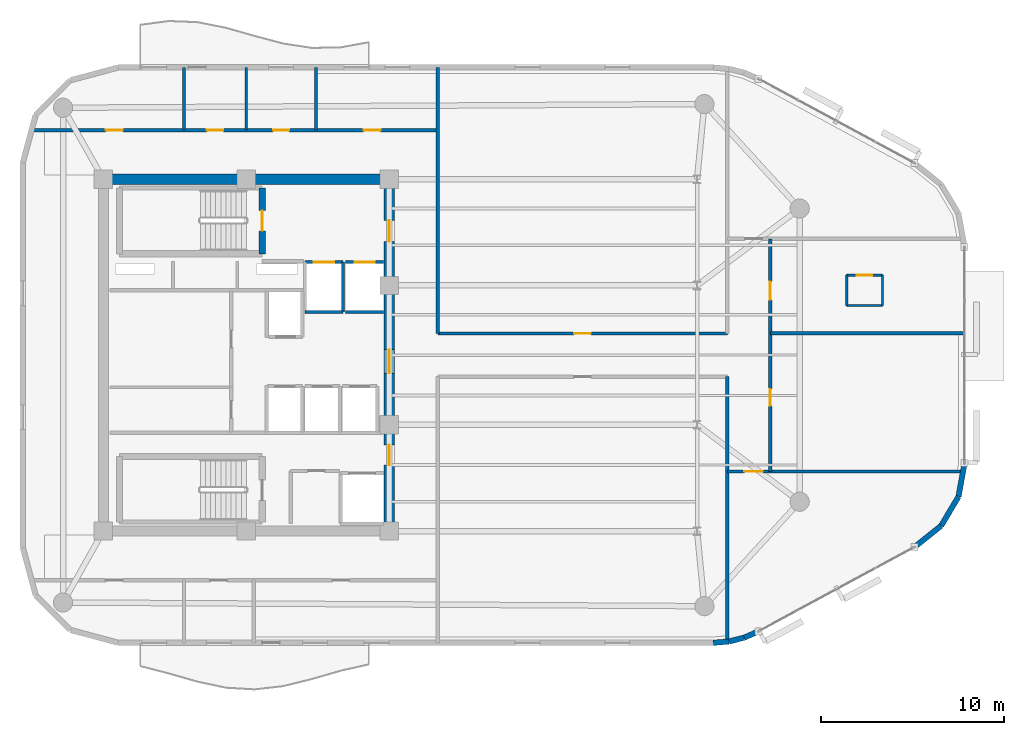
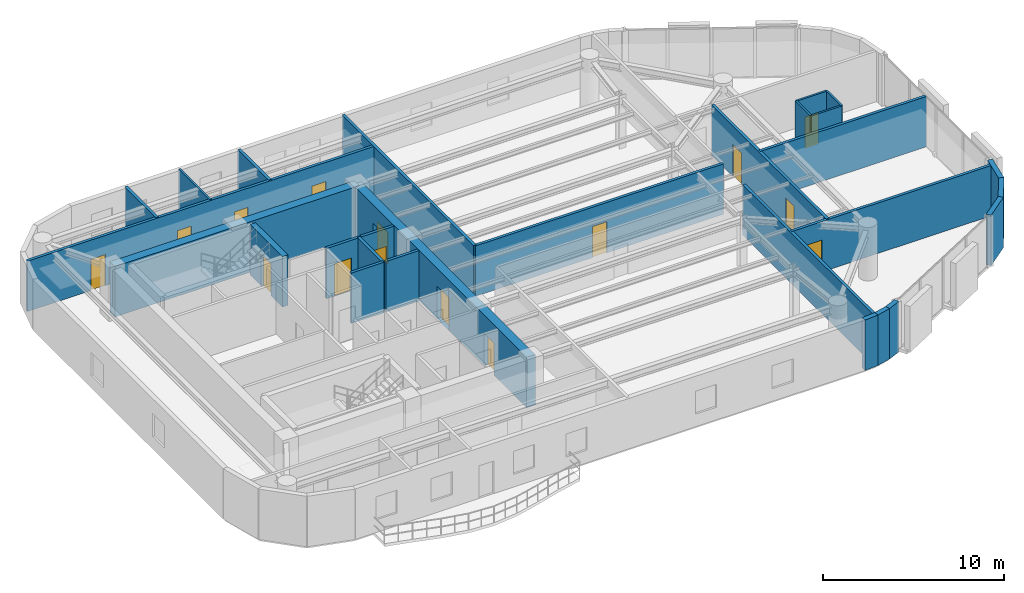
# One storey, part 10 of 13: 28 walls, 15 doors, 15 openings.
"""IFC4 building model written with IfcOpenShell, lengths in metres."""

from ifc_helpers import new_model, si_unit, direction, frame, frame_2d, origin, place, context, subcontext, project, spatial, rectangle, extrude, material, layer, layer_set, type_object, element, fill, save


model = new_model("IFC4")

# Units and contexts
model_context = context("Model", 3, precision=1e-05, world=origin(), true_north=direction((0.0, 1.0)))
body_context = subcontext(model_context, "Body", "Model", "MODEL_VIEW")
ifc_project = project(units=[si_unit("LENGTHUNIT", "METRE"), si_unit("AREAUNIT", "SQUARE_METRE"), si_unit("VOLUMEUNIT", "CUBIC_METRE"), si_unit("PLANEANGLEUNIT", "RADIAN"), si_unit("MASSUNIT", "GRAM", prefix="KILO")], contexts=[model_context])

# Site, building, storey
site_placement = place(None, origin())
site = spatial("IfcSite", under=ifc_project, at=site_placement, CompositionType="ELEMENT")
building_placement = place(site_placement, origin())
building = spatial("IfcBuilding", under=site, at=building_placement, Name="An Khanh Terracotta Commons", CompositionType="ELEMENT")
storey_placement = place(building_placement, frame((0.0, 0.0, 233.699951171875)))
storey = spatial("IfcBuildingStorey", under=building, at=storey_placement, Name="L61", CompositionType="ELEMENT", Elevation=233.699951171875)

# Wall
ifc_material_1 = material(Name="Concrete C50/60", Category="concrete")
ifc_layer_1 = layer(ifc_material_1, 0.550048828125, Name="Concrete C50/60")
ifc_layer_set_1 = layer_set([ifc_layer_1], Name="Concrete C50/60")
wall_type_1 = type_object("IfcWallType", Name="WALL-CORE-550", PredefinedType="SHEAR", material=ifc_layer_set_1)
wall_1_placement = place(storey_placement, frame((21.60009765625, 33.60009765625, 0.0), z_axis=(0.0, 0.0, 1.0), x_axis=(1.0, 0.0, 0.0)))
element("IfcWall", 1, at=wall_1_placement, inside=storey, type_object=wall_type_1, Name="L61 Core Wall CWALL-L61-N", PredefinedType="SHEAR", context=body_context, shape_type="SweptSolid", body=[
    extrude(rectangle(XDim=15.599853515625, YDim=0.550048828125, at=frame_2d((7.7998046875, 0.0))), origin(), (0.0, 0.0, 1.0), 3.400146484375),
])

# Wall, openings, doors
wall_2_placement = place(storey_placement, frame((37.199951171875, 14.39990234375, 0.0), z_axis=(0.0, 0.0, 1.0), x_axis=(0.0, 1.0, 0.0)))
wall_2 = element("IfcWall", 2, at=wall_2_placement, inside=storey, type_object=wall_type_1, Name="L61 Core Wall CWALL-L61-E", PredefinedType="SHEAR", context=body_context, shape_type="SweptSolid", body=[
    extrude(rectangle(XDim=19.2001953125, YDim=0.550048828125, at=frame_2d((9.60009765625, 0.0))), origin(), (0.0, 0.0, 1.0), 3.400146484375),
])
opening_1_placement = place(wall_2_placement, frame((15.800048828125, 0.0, 0.0)))
opening_1 = element("IfcOpeningElement", 3, at=opening_1_placement, cuts=wall_2, Name="Opening D-FFL", PredefinedType="OPENING", context=body_context, shape_type="SweptSolid", body=[
    extrude(rectangle(XDim=1.14990234375, YDim=2.14990234375, at=frame_2d((0.574951171875, 1.074951171875))), frame((0.0, 0.284912109375, 0.0), z_axis=(0.0, -1.0, 0.0), x_axis=(1.0, 0.0, 0.0)), (0.0, 0.0, 1.0), 0.570068359375),
])
opening_2_placement = place(wall_2_placement, frame((3.60009765625, 0.0, 0.0)))
opening_2 = element("IfcOpeningElement", 4, at=opening_2_placement, cuts=wall_2, Name="Opening D-ST", PredefinedType="OPENING", context=body_context, shape_type="SweptSolid", body=[
    extrude(rectangle(XDim=1.10009765625, YDim=2.14990234375, at=frame_2d((0.550048828125, 1.074951171875))), frame((0.0, 0.284912109375, 0.0), z_axis=(0.0, -1.0, 0.0), x_axis=(1.0, 0.0, 0.0)), (0.0, 0.0, 1.0), 0.570068359375),
])
opening_3_placement = place(wall_2_placement, frame((8.60009765625, 0.0, 0.0)))
opening_3 = element("IfcOpeningElement", 5, at=opening_3_placement, cuts=wall_2, Name="Opening D-COR", PredefinedType="OPENING", context=body_context, shape_type="SweptSolid", body=[
    extrude(rectangle(XDim=1.300048828125, YDim=2.199951171875, at=frame_2d((0.64990234375, 1.10009765625))), frame((0.0, 0.284912109375, 0.0), z_axis=(0.0, -1.0, 0.0), x_axis=(1.0, 0.0, 0.0)), (0.0, 0.0, 1.0), 0.570068359375),
])
ifc_material_2 = material(Name="Fire-Rated Glazed Steel Double Door", Category="steel")
door_type_1 = type_object("IfcDoorType", Name="DOOR-CORR-1300", OperationType="NOTDEFINED", PredefinedType="DOOR", material=ifc_material_2)
door_1_placement = place(opening_3_placement, origin())
door_1 = element("IfcDoor", 6, at=door_1_placement, inside=storey, type_object=door_type_1, Name="L61 Passenger Lift Lobby Double Door", OperationType="DOUBLE_DOOR_SINGLE_SWING", OverallHeight=2.199951171875, OverallWidth=1.300048828125, PredefinedType="DOOR", context=body_context, shape_type="SweptSolid", body=[
    extrude(rectangle(XDim=1.300048828125, YDim=2.199951171875, at=frame_2d((0.64990234375, 1.10009765625))), frame((0.0, 0.02490234375, 0.0), z_axis=(0.0, -1.0, 0.0), x_axis=(1.0, 0.0, 0.0)), (0.0, 0.0, 1.0), 0.050048828125),
])
fill(opening_3, door_1)
ifc_material_3 = material(Name="Fire-Rated Steel Leaf and Vision Panel", Category="steel")
door_type_2 = type_object("IfcDoorType", Name="DOOR-FFL-1150", OperationType="NOTDEFINED", PredefinedType="DOOR", material=ifc_material_3)
door_2_placement = place(opening_1_placement, origin())
door_2 = element("IfcDoor", 7, at=door_2_placement, inside=storey, type_object=door_type_2, Name="L61 Firefighting Lift Lobby Fire Door", OperationType="SINGLE_SWING_LEFT", OverallHeight=2.14990234375, OverallWidth=1.14990234375, PredefinedType="DOOR", context=body_context, shape_type="SweptSolid", body=[
    extrude(rectangle(XDim=1.14990234375, YDim=2.14990234375, at=frame_2d((0.574951171875, 1.074951171875))), frame((0.0, 0.02490234375, 0.0), z_axis=(0.0, -1.0, 0.0), x_axis=(1.0, 0.0, 0.0)), (0.0, 0.0, 1.0), 0.050048828125),
])
fill(opening_1, door_2)
ifc_material_4 = material(Name="Fire-Rated Steel Leaf and Frame", Category="steel")
door_type_3 = type_object("IfcDoorType", Name="DOOR-STAIR-1100", OperationType="NOTDEFINED", PredefinedType="DOOR", material=ifc_material_4)
door_3_placement = place(opening_2_placement, origin())
door_3 = element("IfcDoor", 8, at=door_3_placement, inside=storey, type_object=door_type_3, Name="L61 South Stair Lobby Fire Door", OperationType="SINGLE_SWING_RIGHT", OverallHeight=2.14990234375, OverallWidth=1.10009765625, PredefinedType="DOOR", context=body_context, shape_type="SweptSolid", body=[
    extrude(rectangle(XDim=1.10009765625, YDim=2.14990234375, at=frame_2d((0.550048828125, 1.074951171875))), frame((0.0, 0.02490234375, 0.0), z_axis=(0.0, -1.0, 0.0), x_axis=(1.0, 0.0, 0.0)), (0.0, 0.0, 1.0), 0.050048828125),
])
fill(opening_2, door_3)

# Wall, opening, door
ifc_material_5 = material(Name="Fire-Rated Gypsum Board on Steel Stud", Category="steel")
ifc_layer_2 = layer(ifc_material_5, 0.179931640625, Name="Fire-Rated Gypsum Board on Steel Stud")
ifc_layer_set_2 = layer_set([ifc_layer_2], Name="Fire-Rated Gypsum Board on Steel Stud")
wall_type_2 = type_object("IfcWallType", Name="WALL-CORR-180", PredefinedType="PARTITIONING", material=ifc_layer_set_2)
wall_3_placement = place(storey_placement, frame((32.60009765625, 29.080078125, 0.0), z_axis=(0.0, 0.0, 1.0), x_axis=(1.0, 0.0, 0.0)))
wall_3 = element("IfcWall", 9, at=wall_3_placement, inside=storey, type_object=wall_type_2, Name="L61 Core Wall LSH-L61-FFL-01-N", PredefinedType="PARTITIONING", context=body_context, shape_type="SweptSolid", body=[
    extrude(rectangle(XDim=2.079833984375, YDim=0.179931640625, at=frame_2d((1.0400390625, 0.0))), origin(), (0.0, 0.0, 1.0), 3.400146484375),
])
opening_4_placement = place(wall_3_placement, frame((0.489990234375, 0.0, 0.0)))
opening_4 = element("IfcOpeningElement", 10, at=opening_4_placement, cuts=wall_3, Name="Opening LD-FFL-01-L61", PredefinedType="OPENING", context=body_context, shape_type="SweptSolid", body=[
    extrude(rectangle(XDim=1.10009765625, YDim=2.199951171875, at=frame_2d((0.550048828125, 1.10009765625))), frame((0.0, 0.099853515625, 0.0), z_axis=(0.0, -1.0, 0.0), x_axis=(1.0, 0.0, 0.0)), (0.0, 0.0, 1.0), 0.199951171875),
])
ifc_material_6 = material(Name="Brushed Stainless Steel Fire Landing Door", Category="steel")
door_type_4 = type_object("IfcDoorType", Name="DOOR-LD-FFL-1100", OperationType="NOTDEFINED", PredefinedType="DOOR", material=ifc_material_6)
door_4_placement = place(opening_4_placement, origin())
door_4 = element("IfcDoor", 11, at=door_4_placement, inside=storey, type_object=door_type_4, Name="L61 Lift FFL-01 Sliding Landing Door", OperationType="DOUBLE_DOOR_SLIDING", OverallHeight=2.199951171875, OverallWidth=1.10009765625, PredefinedType="DOOR", context=body_context, shape_type="SweptSolid", body=[
    extrude(rectangle(XDim=1.10009765625, YDim=2.199951171875, at=frame_2d((0.550048828125, 1.10009765625))), frame((0.0, 0.02490234375, 0.0), z_axis=(0.0, -1.0, 0.0), x_axis=(1.0, 0.0, 0.0)), (0.0, 0.0, 1.0), 0.050048828125),
])
fill(opening_4, door_4)

# Walls
wall_4_placement = place(storey_placement, frame((34.679931640625, 26.35009765625, 0.0), z_axis=(0.0, 0.0, 1.0), x_axis=(-1.0, 0.0, 0.0)))
element("IfcWall", 12, at=wall_4_placement, inside=storey, type_object=wall_type_2, Name="L61 Core Wall LSH-L61-FFL-01-S", PredefinedType="PARTITIONING", context=body_context, shape_type="SweptSolid", body=[
    extrude(rectangle(XDim=2.079833984375, YDim=0.179931640625, at=frame_2d((1.0400390625, 0.0))), origin(), (0.0, 0.0, 1.0), 3.400146484375),
])
wall_5_placement = place(storey_placement, frame((34.679931640625, 26.35009765625, 0.0), z_axis=(0.0, 0.0, 1.0), x_axis=(0.0, 1.0, 0.0)))
element("IfcWall", 13, at=wall_5_placement, inside=storey, type_object=wall_type_2, Name="L61 Core Wall LSH-L61-FFL-01-E", PredefinedType="PARTITIONING", context=body_context, shape_type="SweptSolid", body=[
    extrude(rectangle(XDim=2.72998046875, YDim=0.179931640625, at=frame_2d((1.364990234375, 0.0))), origin(), (0.0, 0.0, 1.0), 3.400146484375),
])

# Wall, opening, door
wall_6_placement = place(storey_placement, frame((34.820068359375, 29.080078125, 0.0), z_axis=(0.0, 0.0, 1.0), x_axis=(1.0, 0.0, 0.0)))
wall_6 = element("IfcWall", 14, at=wall_6_placement, inside=storey, type_object=wall_type_2, Name="L61 Core Wall LSH-L61-FFL-02-N", PredefinedType="PARTITIONING", context=body_context, shape_type="SweptSolid", body=[
    extrude(rectangle(XDim=2.079833984375, YDim=0.179931640625, at=frame_2d((1.0400390625, 0.0))), origin(), (0.0, 0.0, 1.0), 3.400146484375),
])
opening_5_placement = place(wall_6_placement, frame((0.489990234375, 0.0, 0.0)))
opening_5 = element("IfcOpeningElement", 15, at=opening_5_placement, cuts=wall_6, Name="Opening LD-FFL-02-L61", PredefinedType="OPENING", context=body_context, shape_type="SweptSolid", body=[
    extrude(rectangle(XDim=1.10009765625, YDim=2.199951171875, at=frame_2d((0.550048828125, 1.10009765625))), frame((0.0, 0.099853515625, 0.0), z_axis=(0.0, -1.0, 0.0), x_axis=(1.0, 0.0, 0.0)), (0.0, 0.0, 1.0), 0.199951171875),
])
door_5_placement = place(opening_5_placement, origin())
door_5 = element("IfcDoor", 16, at=door_5_placement, inside=storey, type_object=door_type_4, Name="L61 Lift FFL-02 Sliding Landing Door", OperationType="DOUBLE_DOOR_SLIDING", OverallHeight=2.199951171875, OverallWidth=1.10009765625, PredefinedType="DOOR", context=body_context, shape_type="SweptSolid", body=[
    extrude(rectangle(XDim=1.10009765625, YDim=2.199951171875, at=frame_2d((0.550048828125, 1.10009765625))), frame((0.0, 0.02490234375, 0.0), z_axis=(0.0, -1.0, 0.0), x_axis=(1.0, 0.0, 0.0)), (0.0, 0.0, 1.0), 0.050048828125),
])
fill(opening_5, door_5)

# Wall
wall_7_placement = place(storey_placement, frame((36.89990234375, 26.35009765625, 0.0), z_axis=(0.0, 0.0, 1.0), x_axis=(-1.0, 0.0, 0.0)))
element("IfcWall", 17, at=wall_7_placement, inside=storey, type_object=wall_type_2, Name="L61 Core Wall LSH-L61-FFL-02-S", PredefinedType="PARTITIONING", context=body_context, shape_type="SweptSolid", body=[
    extrude(rectangle(XDim=2.079833984375, YDim=0.179931640625, at=frame_2d((1.0400390625, 0.0))), origin(), (0.0, 0.0, 1.0), 3.400146484375),
])

# Wall, opening, door
wall_8_placement = place(storey_placement, frame((55.64990234375, 17.64990234375, 0.0), z_axis=(0.0, 0.0, 1.0), x_axis=(1.0, 0.0, 0.0)))
wall_8 = element("IfcWall", 18, at=wall_8_placement, inside=storey, type_object=wall_type_2, Name="L61 Interior Partition IW-L61-E002", PredefinedType="PARTITIONING", context=body_context, shape_type="SweptSolid", body=[
    extrude(rectangle(XDim=12.8681640625, YDim=0.179931640625, at=frame_2d((6.43408203125, 0.0))), origin(), (0.0, 0.0, 1.0), 3.400146484375),
])
opening_6_placement = place(wall_8_placement, frame((0.93505859375, 0.0, 0.0)))
opening_6 = element("IfcOpeningElement", 19, at=opening_6_placement, cuts=wall_8, Name="Opening D-UN", PredefinedType="OPENING", context=body_context, shape_type="SweptSolid", body=[
    extrude(rectangle(XDim=1.0, YDim=2.14990234375, at=frame_2d((0.5, 1.074951171875))), frame((0.0, 0.099853515625, 0.0), z_axis=(0.0, -1.0, 0.0), x_axis=(1.0, 0.0, 0.0)), (0.0, 0.0, 1.0), 0.199951171875),
])
ifc_material_7 = material(Name="Solid-Core Hardwood Acoustic Fire Door", Category="wood")
door_type_5 = type_object("IfcDoorType", Name="DOOR-UNIT-1000", OperationType="NOTDEFINED", PredefinedType="DOOR", material=ifc_material_7)
door_6_placement = place(opening_6_placement, origin())
door_6 = element("IfcDoor", 20, at=door_6_placement, inside=storey, type_object=door_type_5, Name="L61 CAPS Yoga Wellness Studio Door", OperationType="SINGLE_SWING_LEFT", OverallHeight=2.14990234375, OverallWidth=1.0, PredefinedType="DOOR", context=body_context, shape_type="SweptSolid", body=[
    extrude(rectangle(XDim=1.0, YDim=2.14990234375, at=frame_2d((0.5, 1.074951171875))), frame((0.0, 0.02490234375, 0.0), z_axis=(0.0, -1.0, 0.0), x_axis=(1.0, 0.0, 0.0)), (0.0, 0.0, 1.0), 0.050048828125),
])
fill(opening_6, door_6)

wall_9_placement = place(storey_placement, frame((39.85009765625, 25.179931640625, 0.0), z_axis=(0.0, 0.0, 1.0), x_axis=(1.0, 0.0, 0.0)))
wall_9 = element("IfcWall", 21, at=wall_9_placement, inside=storey, type_object=wall_type_2, Name="L61 Interior Partition IW-L61-E004", PredefinedType="PARTITIONING", context=body_context, shape_type="SweptSolid", body=[
    extrude(rectangle(XDim=15.7998046875, YDim=0.179931640625, at=frame_2d((7.89990234375, 0.0))), origin(), (0.0, 0.0, 1.0), 3.400146484375),
])
opening_7_placement = place(wall_9_placement, frame((7.43994140625, 0.0, 0.0)))
opening_7 = element("IfcOpeningElement", 22, at=opening_7_placement, cuts=wall_9, Name="Opening D-RM", PredefinedType="OPENING", context=body_context, shape_type="SweptSolid", body=[
    extrude(rectangle(XDim=0.919921875, YDim=2.10009765625, at=frame_2d((0.4599609375, 1.050048828125))), frame((0.0, 0.099853515625, 0.0), z_axis=(0.0, -1.0, 0.0), x_axis=(1.0, 0.0, 0.0)), (0.0, 0.0, 1.0), 0.199951171875),
])
ifc_material_8 = material(Name="Engineered Hardwood Timber Leaf", Category="wood")
door_type_6 = type_object("IfcDoorType", Name="DOOR-INT-920", OperationType="NOTDEFINED", PredefinedType="DOOR", material=ifc_material_8)
door_7_placement = place(opening_7_placement, origin())
door_7 = element("IfcDoor", 23, at=door_7_placement, inside=storey, type_object=door_type_6, Name="L61 NB1 Student Reading Library Door", OperationType="SINGLE_SWING_RIGHT", OverallHeight=2.10009765625, OverallWidth=0.919921875, PredefinedType="DOOR", context=body_context, shape_type="SweptSolid", body=[
    extrude(rectangle(XDim=0.919921875, YDim=2.10009765625, at=frame_2d((0.4599609375, 1.050048828125))), frame((0.0, 0.02490234375, 0.0), z_axis=(0.0, -1.0, 0.0), x_axis=(1.0, 0.0, 0.0)), (0.0, 0.0, 1.0), 0.050048828125),
])
fill(opening_7, door_7)

# Wall
wall_10_placement = place(storey_placement, frame((58.0, 25.199951171875, 0.0), z_axis=(0.0, 0.0, 1.0), x_axis=(1.0, 0.0, 0.0)))
element("IfcWall", 24, at=wall_10_placement, inside=storey, type_object=wall_type_2, Name="L61 Interior Partition IW-L61-E005", PredefinedType="PARTITIONING", context=body_context, shape_type="SweptSolid", body=[
    extrude(rectangle(XDim=10.60009765625, YDim=0.179931640625, at=frame_2d((5.300048828125, 0.0))), origin(), (0.0, 0.0, 1.0), 3.400146484375),
])

# Wall, openings, doors
wall_11_placement = place(storey_placement, frame((17.677001953125, 36.280029296875, 0.0), z_axis=(0.0, 0.0, 1.0), x_axis=(1.0, 0.0, 0.0)))
wall_11 = element("IfcWall", 25, at=wall_11_placement, inside=storey, type_object=wall_type_2, Name="L61 Interior Partition IW-L61-E007", PredefinedType="PARTITIONING", context=body_context, shape_type="SweptSolid", body=[
    extrude(rectangle(XDim=22.173095703125, YDim=0.179931640625, at=frame_2d((11.08642578125, 0.0))), origin(), (0.0, 0.0, 1.0), 3.400146484375),
])
opening_8_placement = place(wall_11_placement, frame((9.572998046875, 0.0, 0.0)))
opening_8 = element("IfcOpeningElement", 26, at=opening_8_placement, cuts=wall_11, Name="Opening D-WC", PredefinedType="OPENING", context=body_context, shape_type="SweptSolid", body=[
    extrude(rectangle(XDim=0.89990234375, YDim=2.10009765625, at=frame_2d((0.449951171875, 1.050048828125))), frame((0.0, 0.099853515625, 0.0), z_axis=(0.0, -1.0, 0.0), x_axis=(1.0, 0.0, 0.0)), (0.0, 0.0, 1.0), 0.199951171875),
])
opening_9_placement = place(wall_11_placement, frame((13.193115234375, 0.0, 0.0)))
opening_9 = element("IfcOpeningElement", 27, at=opening_9_placement, cuts=wall_11, Name="Opening D-ENS", PredefinedType="OPENING", context=body_context, shape_type="SweptSolid", body=[
    extrude(rectangle(XDim=0.860107421875, YDim=2.10009765625, at=frame_2d((0.43017578125, 1.050048828125))), frame((0.0, 0.099853515625, 0.0), z_axis=(0.0, -1.0, 0.0), x_axis=(1.0, 0.0, 0.0)), (0.0, 0.0, 1.0), 0.199951171875),
])
opening_10_placement = place(wall_11_placement, frame((4.06298828125, 0.0, 0.0)))
opening_10 = element("IfcOpeningElement", 28, at=opening_10_placement, cuts=wall_11, Name="Opening D-RM", PredefinedType="OPENING", context=body_context, shape_type="SweptSolid", body=[
    extrude(rectangle(XDim=0.919921875, YDim=2.10009765625, at=frame_2d((0.4599609375, 1.050048828125))), frame((0.0, 0.099853515625, 0.0), z_axis=(0.0, -1.0, 0.0), x_axis=(1.0, 0.0, 0.0)), (0.0, 0.0, 1.0), 0.199951171875),
])
opening_11_placement = place(wall_11_placement, frame((18.1279296875, 0.0, 0.0)))
opening_11 = element("IfcOpeningElement", 29, at=opening_11_placement, cuts=wall_11, Name="Opening D-RM", PredefinedType="OPENING", context=body_context, shape_type="SweptSolid", body=[
    extrude(rectangle(XDim=0.919921875, YDim=2.10009765625, at=frame_2d((0.4599609375, 1.050048828125))), frame((0.0, 0.099853515625, 0.0), z_axis=(0.0, -1.0, 0.0), x_axis=(1.0, 0.0, 0.0)), (0.0, 0.0, 1.0), 0.199951171875),
])
ifc_material_9 = material(Name="Moisture-Resistant Hardwood Timber Leaf", Category="wood")
door_type_7 = type_object("IfcDoorType", Name="DOOR-BATH-860", OperationType="NOTDEFINED", PredefinedType="DOOR", material=ifc_material_9)
door_8_placement = place(opening_9_placement, origin())
door_8 = element("IfcDoor", 30, at=door_8_placement, inside=storey, type_object=door_type_7, Name="L61 SHW Resident Shared Shower and Washroom Door", OperationType="SINGLE_SWING_RIGHT", OverallHeight=2.10009765625, OverallWidth=0.860107421875, PredefinedType="DOOR", context=body_context, shape_type="SweptSolid", body=[
    extrude(rectangle(XDim=0.860107421875, YDim=2.10009765625, at=frame_2d((0.43017578125, 1.050048828125))), frame((0.0, 0.02490234375, 0.0), z_axis=(0.0, -1.0, 0.0), x_axis=(1.0, 0.0, 0.0)), (0.0, 0.0, 1.0), 0.050048828125),
])
fill(opening_9, door_8)
door_9_placement = place(opening_10_placement, origin())
door_9 = element("IfcDoor", 31, at=door_9_placement, inside=storey, type_object=door_type_6, Name="L61 NW1 Quiet Focus Office Door", OperationType="SINGLE_SWING_RIGHT", OverallHeight=2.10009765625, OverallWidth=0.919921875, PredefinedType="DOOR", context=body_context, shape_type="SweptSolid", body=[
    extrude(rectangle(XDim=0.919921875, YDim=2.10009765625, at=frame_2d((0.4599609375, 1.050048828125))), frame((0.0, 0.02490234375, 0.0), z_axis=(0.0, -1.0, 0.0), x_axis=(1.0, 0.0, 0.0)), (0.0, 0.0, 1.0), 0.050048828125),
])
fill(opening_10, door_9)
door_10_placement = place(opening_11_placement, origin())
door_10 = element("IfcDoor", 32, at=door_10_placement, inside=storey, type_object=door_type_6, Name="L61 NWE Academic Seminar Room Door", OperationType="SINGLE_SWING_LEFT", OverallHeight=2.10009765625, OverallWidth=0.919921875, PredefinedType="DOOR", context=body_context, shape_type="SweptSolid", body=[
    extrude(rectangle(XDim=0.919921875, YDim=2.10009765625, at=frame_2d((0.4599609375, 1.050048828125))), frame((0.0, 0.02490234375, 0.0), z_axis=(0.0, -1.0, 0.0), x_axis=(1.0, 0.0, 0.0)), (0.0, 0.0, 1.0), 0.050048828125),
])
fill(opening_11, door_10)
ifc_material_10 = material(Name="Laminate Moisture-Resistant Timber Leaf", Category="wood")
door_type_8 = type_object("IfcDoorType", Name="DOOR-WC-900", OperationType="NOTDEFINED", PredefinedType="DOOR", material=ifc_material_10)
door_11_placement = place(opening_8_placement, origin())
door_11 = element("IfcDoor", 33, at=door_11_placement, inside=storey, type_object=door_type_8, Name="L61 AWC Accessible WC Door", OperationType="SINGLE_SWING_LEFT", OverallHeight=2.10009765625, OverallWidth=0.89990234375, PredefinedType="DOOR", context=body_context, shape_type="SweptSolid", body=[
    extrude(rectangle(XDim=0.89990234375, YDim=2.10009765625, at=frame_2d((0.449951171875, 1.050048828125))), frame((0.0, 0.02490234375, 0.0), z_axis=(0.0, -1.0, 0.0), x_axis=(1.0, 0.0, 0.0)), (0.0, 0.0, 1.0), 0.050048828125),
])
fill(opening_8, door_11)

# Walls
for number, where, z_axis, x_axis, name in (
    (34, (26.0, 36.280029296875, 0.0), (0.0, 0.0, 1.0), (0.0, 1.0, 0.0), "L61 Interior Partition IW-L61-E009"),
    (35, (33.199951171875, 36.280029296875, 0.0), (0.0, 0.0, 1.0), (0.0, 1.0, 0.0), "L61 Interior Partition IW-L61-E012"),
):
    element("IfcWall", number, at=place(storey_placement, frame(where, z_axis=z_axis, x_axis=x_axis)), inside=storey, type_object=wall_type_2, Name=name, PredefinedType="PARTITIONING", context=body_context, shape_type="SweptSolid", body=[
        extrude(rectangle(XDim=3.419921875, YDim=0.179931640625, at=frame_2d((1.7099609375, 0.0))), origin(), (0.0, 0.0, 1.0), 3.400146484375),
    ])
wall_12_placement = place(storey_placement, frame((39.85009765625, 25.179931640625, 0.0), z_axis=(0.0, 0.0, 1.0), x_axis=(0.0, 1.0, 0.0)))
element("IfcWall", 36, at=wall_12_placement, inside=storey, type_object=wall_type_2, Name="L61 Interior Partition IW-L61-E014", PredefinedType="PARTITIONING", context=body_context, shape_type="SweptSolid", body=[
    extrude(rectangle(XDim=14.52001953125, YDim=0.179931640625, at=frame_2d((7.260009765625, 0.0))), origin(), (0.0, 0.0, 1.0), 3.400146484375),
])
wall_13_placement = place(storey_placement, frame((55.64990234375, 8.364013671875, 0.0), z_axis=(0.0, 0.0, 1.0), x_axis=(0.0, 1.0, 0.0)))
element("IfcWall", 37, at=wall_13_placement, inside=storey, type_object=wall_type_2, Name="L61 Interior Partition IW-L61-E015", PredefinedType="PARTITIONING", context=body_context, shape_type="SweptSolid", body=[
    extrude(rectangle(XDim=14.4560546875, YDim=0.179931640625, at=frame_2d((7.22802734375, 0.0))), origin(), (0.0, 0.0, 1.0), 3.400146484375),
])

# Wall, openings, doors
wall_14_placement = place(storey_placement, frame((58.0, 17.64990234375, 0.0), z_axis=(0.0, 0.0, 1.0), x_axis=(0.0, 1.0, 0.0)))
wall_14 = element("IfcWall", 38, at=wall_14_placement, inside=storey, type_object=wall_type_2, Name="L61 Interior Partition IW-L61-E017", PredefinedType="PARTITIONING", context=body_context, shape_type="SweptSolid", body=[
    extrude(rectangle(XDim=12.7001953125, YDim=0.179931640625, at=frame_2d((6.35009765625, 0.0))), origin(), (0.0, 0.0, 1.0), 3.400146484375),
])
opening_12_placement = place(wall_14_placement, frame((9.364990234375, 0.0, 0.0)))
opening_12 = element("IfcOpeningElement", 39, at=opening_12_placement, cuts=wall_14, Name="Opening D-UN", PredefinedType="OPENING", context=body_context, shape_type="SweptSolid", body=[
    extrude(rectangle(XDim=1.0, YDim=2.14990234375, at=frame_2d((0.5, 1.074951171875))), frame((0.0, 0.099853515625, 0.0), z_axis=(0.0, -1.0, 0.0), x_axis=(1.0, 0.0, 0.0)), (0.0, 0.0, 1.0), 0.199951171875),
])
opening_13_placement = place(wall_14_placement, frame((3.574951171875, 0.0, 0.0)))
opening_13 = element("IfcOpeningElement", 40, at=opening_13_placement, cuts=wall_14, Name="Opening D-RM", PredefinedType="OPENING", context=body_context, shape_type="SweptSolid", body=[
    extrude(rectangle(XDim=0.919921875, YDim=2.10009765625, at=frame_2d((0.4599609375, 1.050048828125))), frame((0.0, 0.099853515625, 0.0), z_axis=(0.0, -1.0, 0.0), x_axis=(1.0, 0.0, 0.0)), (0.0, 0.0, 1.0), 0.199951171875),
])
door_12_placement = place(opening_13_placement, origin())
door_12 = element("IfcDoor", 41, at=door_12_placement, inside=storey, type_object=door_type_6, Name="L61 EF2 Riverfront Study Lounge Door", OperationType="SINGLE_SWING_LEFT", OverallHeight=2.10009765625, OverallWidth=0.919921875, PredefinedType="DOOR", context=body_context, shape_type="SweptSolid", body=[
    extrude(rectangle(XDim=0.919921875, YDim=2.10009765625, at=frame_2d((0.4599609375, 1.050048828125))), frame((0.0, 0.02490234375, 0.0), z_axis=(0.0, -1.0, 0.0), x_axis=(1.0, 0.0, 0.0)), (0.0, 0.0, 1.0), 0.050048828125),
])
fill(opening_13, door_12)
door_13_placement = place(opening_12_placement, origin())
door_13 = element("IfcDoor", 42, at=door_13_placement, inside=storey, type_object=door_type_5, Name="L61 EF1 Kitchenette and Studio Apartment Door", OperationType="SINGLE_SWING_RIGHT", OverallHeight=2.14990234375, OverallWidth=1.0, PredefinedType="DOOR", context=body_context, shape_type="SweptSolid", body=[
    extrude(rectangle(XDim=1.0, YDim=2.14990234375, at=frame_2d((0.5, 1.074951171875))), frame((0.0, 0.02490234375, 0.0), z_axis=(0.0, -1.0, 0.0), x_axis=(1.0, 0.0, 0.0)), (0.0, 0.0, 1.0), 0.050048828125),
])
fill(opening_12, door_13)

# Walls
ifc_material_11 = material(Name="Precast concrete C40/50", Category="concrete")
ifc_layer_3 = layer(ifc_material_11, 0.300048828125, Name="Precast concrete C40/50")
ifc_layer_set_3 = layer_set([ifc_layer_3], Name="Precast concrete C40/50")
wall_type_3 = type_object("IfcWallType", Name="WALL-EXT-300", PredefinedType="SOLIDWALL", material=ifc_layer_set_3)
wall_15_placement = place(storey_placement, frame((54.885009765625, 8.300048828125, 0.0), z_axis=(0.0, 0.0, 1.0), x_axis=(0.996565355958, 0.082809971041, 0.0)))
element("IfcWall", 43, at=wall_15_placement, inside=storey, type_object=wall_type_3, Name="L61 Insulated Terracotta Exterior Wall 5", PredefinedType="SOLIDWALL", context=body_context, shape_type="SweptSolid", body=[
    extrude(rectangle(XDim=0.85791015625, YDim=0.300048828125, at=frame_2d((0.428955078125, 0.0))), origin(), (0.0, 0.0, 1.0), 3.400146484375),
])
wall_16_placement = place(storey_placement, frame((55.739990234375, 8.37109375, 0.0), z_axis=(0.0, 0.0, 1.0), x_axis=(0.969536346338, 0.244947490555, 0.0)))
element("IfcWall", 44, at=wall_16_placement, inside=storey, type_object=wall_type_3, Name="L61 Insulated Terracotta Exterior Wall 6", PredefinedType="SOLIDWALL", context=body_context, shape_type="SweptSolid", body=[
    extrude(rectangle(XDim=0.857177734375, YDim=0.300048828125, at=frame_2d((0.4287109375, 0.0))), origin(), (0.0, 0.0, 1.0), 3.400146484375),
])
wall_17_placement = place(storey_placement, frame((56.571044921875, 8.5810546875, 0.0), z_axis=(0.0, 0.0, 1.0), x_axis=(0.916085473636, 0.400983048261, 0.0)))
element("IfcWall", 45, at=wall_17_placement, inside=storey, type_object=wall_type_3, Name="L61 Insulated Terracotta Exterior Wall 7", PredefinedType="SOLIDWALL", context=body_context, shape_type="SweptSolid", body=[
    extrude(rectangle(XDim=0.85791015625, YDim=0.300048828125, at=frame_2d((0.428955078125, 0.0))), origin(), (0.0, 0.0, 1.0), 3.400146484375),
])
wall_18_placement = place(storey_placement, frame((65.8720703125, 13.52587890625, 0.0), z_axis=(0.0, 0.0, 1.0), x_axis=(0.780920189257, 0.624630817372, 0.0)))
element("IfcWall", 46, at=wall_18_placement, inside=storey, type_object=wall_type_3, Name="L61 Insulated Terracotta Exterior Wall 9", PredefinedType="SOLIDWALL", context=body_context, shape_type="SweptSolid", body=[
    extrude(rectangle(XDim=1.854248046875, YDim=0.300048828125, at=frame_2d((0.92724609375, 0.0))), origin(), (0.0, 0.0, 1.0), 3.400146484375),
])
wall_19_placement = place(storey_placement, frame((67.320068359375, 14.68408203125, 0.0), z_axis=(0.0, 0.0, 1.0), x_axis=(0.512072018927, 0.858942516955, 0.0)))
element("IfcWall", 47, at=wall_19_placement, inside=storey, type_object=wall_type_3, Name="L61 Insulated Terracotta Exterior Wall 10", PredefinedType="SOLIDWALL", context=body_context, shape_type="SweptSolid", body=[
    extrude(rectangle(XDim=1.853271484375, YDim=0.300048828125, at=frame_2d((0.9267578125, 0.0))), origin(), (0.0, 0.0, 1.0), 3.400146484375),
])
wall_20_placement = place(storey_placement, frame((68.26904296875, 16.27587890625, 0.0), z_axis=(0.0, 0.0, 1.0), x_axis=(0.178468469252, 0.983945631365, 0.0)))
element("IfcWall", 48, at=wall_20_placement, inside=storey, type_object=wall_type_3, Name="L61 Insulated Terracotta Exterior Wall 11", PredefinedType="SOLIDWALL", context=body_context, shape_type="SweptSolid", body=[
    extrude(rectangle(XDim=1.85498046875, YDim=0.300048828125, at=frame_2d((0.927490234375, 0.0))), origin(), (0.0, 0.0, 1.0), 3.400146484375),
])

# Wall, opening, door
ifc_layer_4 = layer(ifc_material_1, 0.35009765625, Name="Concrete C50/60")
ifc_layer_set_4 = layer_set([ifc_layer_4], Name="Concrete C50/60")
wall_type_4 = type_object("IfcWallType", Name="WALL-SHAFT-350", PredefinedType="SOLIDWALL", material=ifc_layer_set_4)
wall_21_placement = place(storey_placement, frame((30.27001953125, 29.530029296875, 0.0), z_axis=(0.0, 0.0, 1.0), x_axis=(0.0, 1.0, 0.0)))
wall_21 = element("IfcWall", 49, at=wall_21_placement, inside=storey, type_object=wall_type_4, Name="L61 Core Wall STW-L61-N-E", PredefinedType="SOLIDWALL", context=body_context, shape_type="SweptSolid", body=[
    extrude(rectangle(XDim=3.580078125, YDim=0.35009765625, at=frame_2d((1.7900390625, 0.0))), origin(), (0.0, 0.0, 1.0), 3.400146484375),
])
opening_14_placement = place(wall_21_placement, frame((1.25, 0.0, 0.0)))
opening_14 = element("IfcOpeningElement", 50, at=opening_14_placement, cuts=wall_21, Name="Opening D-ST", PredefinedType="OPENING", context=body_context, shape_type="SweptSolid", body=[
    extrude(rectangle(XDim=1.10009765625, YDim=2.14990234375, at=frame_2d((0.550048828125, 1.074951171875))), frame((0.0, 0.18505859375, 0.0), z_axis=(0.0, -1.0, 0.0), x_axis=(1.0, 0.0, 0.0)), (0.0, 0.0, 1.0), 0.3701171875),
])
door_14_placement = place(opening_14_placement, origin())
door_14 = element("IfcDoor", 51, at=door_14_placement, inside=storey, type_object=door_type_3, Name="L61 Stair ST-01 Fire Door", OperationType="SINGLE_SWING_LEFT", OverallHeight=2.14990234375, OverallWidth=1.10009765625, PredefinedType="DOOR", context=body_context, shape_type="SweptSolid", body=[
    extrude(rectangle(XDim=1.10009765625, YDim=2.14990234375, at=frame_2d((0.550048828125, 1.074951171875))), frame((0.0, 0.02490234375, 0.0), z_axis=(0.0, -1.0, 0.0), x_axis=(1.0, 0.0, 0.0)), (0.0, 0.0, 1.0), 0.050048828125),
])
fill(opening_14, door_14)

ifc_material_12 = material(Name="Moisture-Resistant Cement Board Partition")
ifc_layer_5 = layer(ifc_material_12, 0.1201171875, Name="Moisture-Resistant Cement Board Partition")
ifc_layer_set_5 = layer_set([ifc_layer_5], Name="Moisture-Resistant Cement Board Partition")
wall_type_5 = type_object("IfcWallType", Name="WALL-WET-120", PredefinedType="PARTITIONING", material=ifc_layer_set_5)
wall_22_placement = place(storey_placement, frame((62.1650390625, 28.360107421875, 0.0), z_axis=(0.0, 0.0, 1.0), x_axis=(1.0, 0.0, 0.0)))
wall_22 = element("IfcWall", 52, at=wall_22_placement, inside=storey, type_object=wall_type_5, Name="L61 Interior Partition IW-L61-EF1-BN", PredefinedType="PARTITIONING", context=body_context, shape_type="SweptSolid", body=[
    extrude(rectangle(XDim=1.949951171875, YDim=0.1201171875, at=frame_2d((0.97509765625, 0.0))), origin(), (0.0, 0.0, 1.0), 3.400146484375),
])
opening_15_placement = place(wall_22_placement, frame((0.544921875, 0.0, 0.0)))
opening_15 = element("IfcOpeningElement", 53, at=opening_15_placement, cuts=wall_22, Name="Opening D-ENS", PredefinedType="OPENING", context=body_context, shape_type="SweptSolid", body=[
    extrude(rectangle(XDim=0.860107421875, YDim=2.10009765625, at=frame_2d((0.43017578125, 1.050048828125))), frame((0.0, 0.070068359375, 0.0), z_axis=(0.0, -1.0, 0.0), x_axis=(1.0, 0.0, 0.0)), (0.0, 0.0, 1.0), 0.14013671875),
])
door_15_placement = place(opening_15_placement, origin())
door_15 = element("IfcDoor", 54, at=door_15_placement, inside=storey, type_object=door_type_7, Name="L61 Studio EF1 En-suite Door", OperationType="SINGLE_SWING_RIGHT", OverallHeight=2.10009765625, OverallWidth=0.860107421875, PredefinedType="DOOR", context=body_context, shape_type="SweptSolid", body=[
    extrude(rectangle(XDim=0.860107421875, YDim=2.10009765625, at=frame_2d((0.43017578125, 1.050048828125))), frame((0.0, 0.02490234375, 0.0), z_axis=(0.0, -1.0, 0.0), x_axis=(1.0, 0.0, 0.0)), (0.0, 0.0, 1.0), 0.050048828125),
])
fill(opening_15, door_15)

# Walls
wall_23_placement = place(storey_placement, frame((64.114990234375, 26.7099609375, 0.0), z_axis=(0.0, 0.0, 1.0), x_axis=(-1.0, 0.0, 0.0)))
element("IfcWall", 55, at=wall_23_placement, inside=storey, type_object=wall_type_5, Name="L61 Interior Partition IW-L61-EF1-BS", PredefinedType="PARTITIONING", context=body_context, shape_type="SweptSolid", body=[
    extrude(rectangle(XDim=1.949951171875, YDim=0.1201171875, at=frame_2d((0.97509765625, 0.0))), origin(), (0.0, 0.0, 1.0), 3.400146484375),
])
for number, where, z_axis, x_axis, name in (
    (56, (62.1650390625, 28.360107421875, 0.0), (0.0, 0.0, 1.0), (0.0, -1.0, 0.0), "L61 Interior Partition IW-L61-EF1-BW"),
    (57, (64.114990234375, 26.7099609375, 0.0), (0.0, 0.0, 1.0), (0.0, 1.0, 0.0), "L61 Interior Partition IW-L61-EF1-BE"),
):
    element("IfcWall", number, at=place(storey_placement, frame(where, z_axis=z_axis, x_axis=x_axis)), inside=storey, type_object=wall_type_5, Name=name, PredefinedType="PARTITIONING", context=body_context, shape_type="SweptSolid", body=[
        extrude(rectangle(XDim=1.650146484375, YDim=0.1201171875, at=frame_2d((0.8251953125, 0.0))), origin(), (0.0, 0.0, 1.0), 3.400146484375),
    ])
wall_24_placement = place(storey_placement, frame((29.39990234375, 36.280029296875, 0.0), z_axis=(0.0, 0.0, 1.0), x_axis=(0.0, 1.0, 0.0)))
element("IfcWall", 58, at=wall_24_placement, inside=storey, type_object=wall_type_5, Name="L61 Interior Partition IW-L61-E010", PredefinedType="PARTITIONING", context=body_context, shape_type="SweptSolid", body=[
    extrude(rectangle(XDim=3.419921875, YDim=0.1201171875, at=frame_2d((1.7099609375, 0.0))), origin(), (0.0, 0.0, 1.0), 3.400146484375),
])

save(model, "model.ifc")
